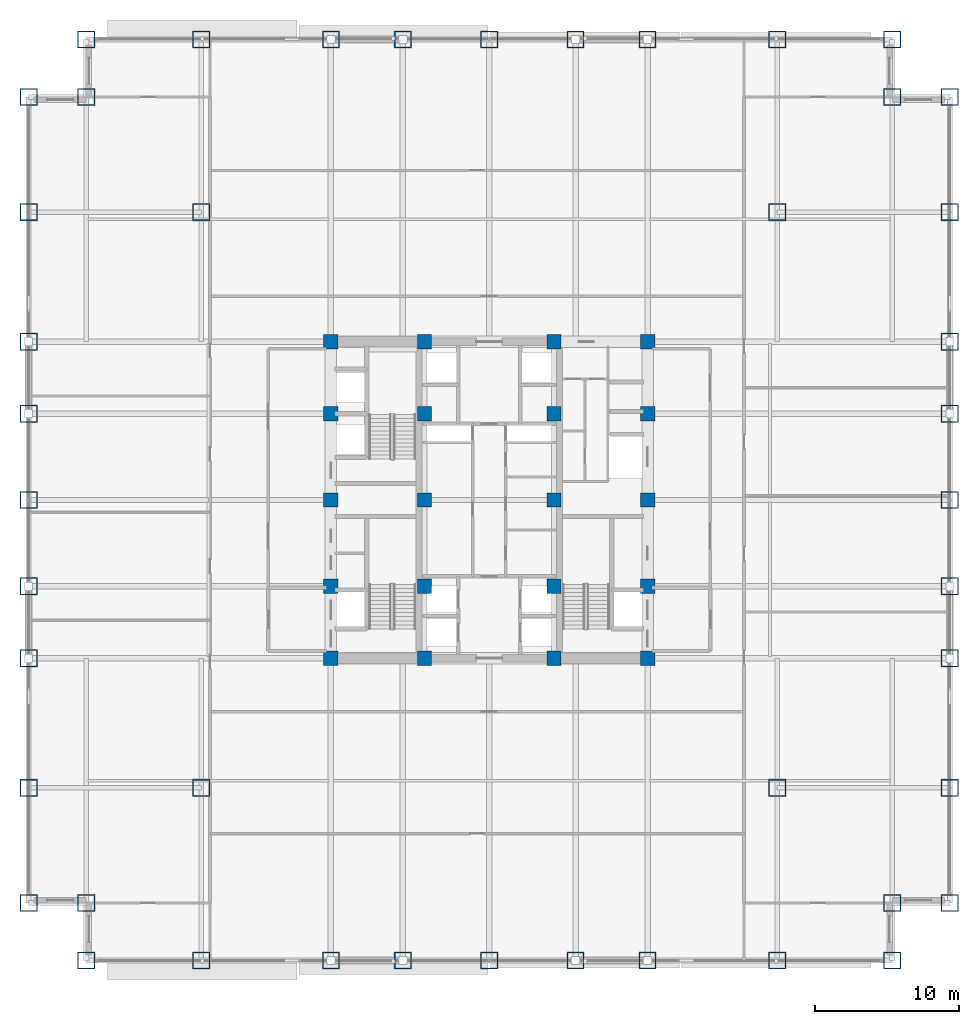
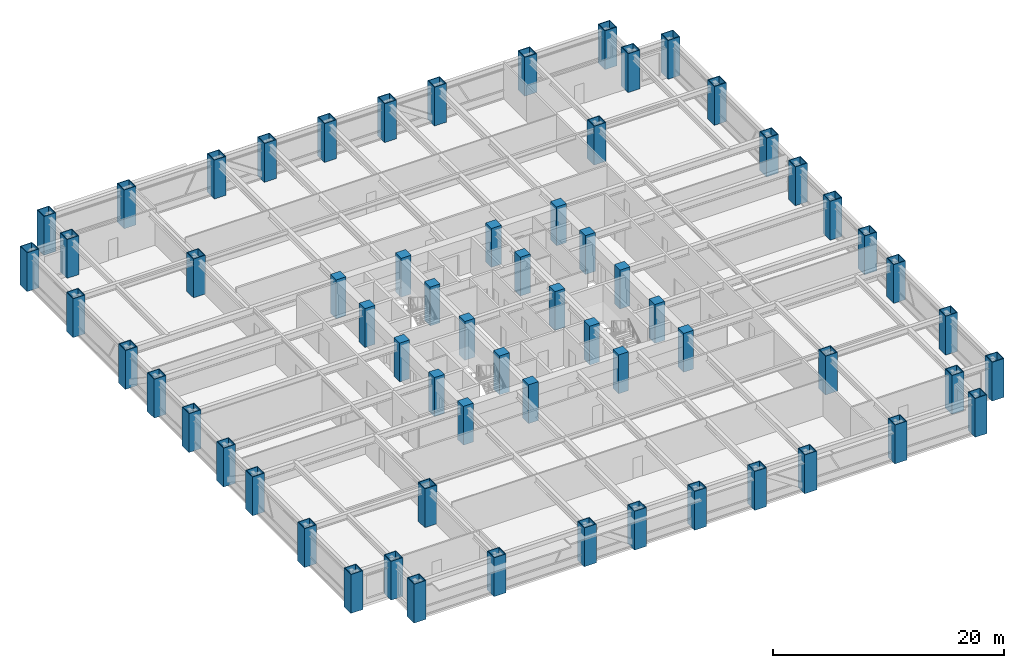
# One storey, part 1 of 32: 64 columns.
"""IFC4 building model written with IfcOpenShell, lengths in metres."""

import ifcopenshell
import ifcopenshell.guid

model = None  # the IFC model being written
_history = None  # IfcOwnerHistory: only IFC2X3 demands one
_inside = {}  # id of a spatial element -> (the spatial element, [elements in it])
_under = {}  # id of a project, library or spatial element -> (it, [spatial elements below it])
_declared = {}  # id of a project -> (the project, [libraries it declares])
_typed = {}  # id of a type object -> (the type object, [elements of that type])
_made_of = {}  # id of a material, layer set ... -> (it, [elements and type objects made of it])


def new_model(schema):
    """Start an empty IFC model of exactly this schema.

    Asked for "IFC4X3", IfcOpenShell would pick the latest addendum, in which some entities
    have other attributes; the version numbers below select the first issue.
    IFC2X3 requires an IfcOwnerHistory on every rooted entity: one is made here for all.
    """
    global model, _history
    if schema == "IFC4X3":
        model = ifcopenshell.file(schema_version=(4, 3, 0, 0))
    else:
        model = ifcopenshell.file(schema=schema)
    _inside.clear()
    _under.clear()
    _declared.clear()
    _typed.clear()
    _made_of.clear()
    _history = None
    if model.schema == "IFC2X3":
        org = make("IfcOrganization", Name="unknown")
        user = make(
            "IfcPersonAndOrganization",
            ThePerson=make("IfcPerson", FamilyName="unknown"),
            TheOrganization=org,
        )
        app = make(
            "IfcApplication",
            ApplicationDeveloper=org,
            Version="unknown",
            ApplicationFullName="unknown",
            ApplicationIdentifier="unknown",
        )
        _history = make(
            "IfcOwnerHistory",
            OwningUser=user,
            OwningApplication=app,
            ChangeAction="ADDED",
            CreationDate=0,
        )
    return model


def make(cls, **values):
    """One entity of the class cls with the attributes given. An attribute that is None is left unset."""
    return model.create_entity(
        cls, **{name: value for name, value in values.items() if value is not None}
    )


def rooted(cls, **values):
    """An entity with a GlobalId (a new one), such as an element, a storey or a relation."""
    return make(cls, GlobalId=ifcopenshell.guid.new(), OwnerHistory=_history, **values)


def si_unit(unit_type, name, prefix=None):
    """IfcSIUnit, for example si_unit("LENGTHUNIT", "METRE", prefix="MILLI")."""
    return make("IfcSIUnit", UnitType=unit_type, Prefix=prefix, Name=name)


def assignment(units):
    """IfcUnitAssignment: the units of a project."""
    return None if units is None else make("IfcUnitAssignment", Units=units)


def point(xyz):
    """IfcCartesianPoint."""
    return None if xyz is None else make("IfcCartesianPoint", Coordinates=xyz)


def direction(xyz):
    """IfcDirection."""
    return None if xyz is None else make("IfcDirection", DirectionRatios=xyz)


def frame(location, z_axis=None, x_axis=None):
    """IfcAxis2Placement3D, a coordinate frame: its origin and axes. An axis left out is left unset."""
    return make(
        "IfcAxis2Placement3D",
        Location=point(location),
        Axis=direction(z_axis),
        RefDirection=direction(x_axis),
    )


def frame_2d(location, x_axis=None):
    """IfcAxis2Placement2D, a coordinate frame in the plane: its origin and x axis."""
    return make(
        "IfcAxis2Placement2D", Location=point(location), RefDirection=direction(x_axis)
    )


def origin():
    """The frame at (0, 0, 0) with its axes left unset."""
    return frame((0.0, 0.0, 0.0))


def origin_2d():
    """The frame at (0, 0) in the plane with its x axis left unset."""
    return frame_2d((0.0, 0.0))


def place(relative_to, where):
    """IfcLocalPlacement: puts the frame where relative to a parent placement (None: the world)."""
    return make(
        "IfcLocalPlacement", PlacementRelTo=relative_to, RelativePlacement=where
    )


def context(
    kind, dimensions, precision=None, world=None, true_north=None, identifier=None
):
    """IfcGeometricRepresentationContext, for example the 3D "Model" context."""
    return make(
        "IfcGeometricRepresentationContext",
        ContextIdentifier=identifier,
        ContextType=kind,
        CoordinateSpaceDimension=dimensions,
        Precision=precision,
        WorldCoordinateSystem=world,
        TrueNorth=true_north,
    )


def subcontext(parent, identifier, kind, view, scale=None):
    """IfcGeometricRepresentationSubContext, for example "Body" below "Model"."""
    return make(
        "IfcGeometricRepresentationSubContext",
        ContextIdentifier=identifier,
        ContextType=kind,
        ParentContext=parent,
        TargetScale=scale,
        TargetView=view,
    )


def project(units=None, contexts=None):
    """IfcProject with its units and contexts."""
    return rooted(
        "IfcProject",
        Name="project",
        RepresentationContexts=contexts,
        UnitsInContext=assignment(units),
    )


def spatial(cls, under=None, at=None, **own):
    """A site, building, storey or space (cls), placed at a placement, below another one or the project."""
    s = rooted(cls, ObjectPlacement=at, **own)
    if under is not None:
        _under.setdefault(under.id(), (under, []))[1].append(s)
    return s


def profile(cls, at=None, kind="AREA", **sizes):
    """A parametric profile (cls). Its sizes go by their IFC names, for example OverallWidth=200.0."""
    return make(cls, ProfileType=kind, Position=at, **sizes)


def rectangle(**sizes):
    """IfcRectangleProfileDef."""
    return profile("IfcRectangleProfileDef", **sizes)


def hollow_rectangle(**sizes):
    """IfcRectangleHollowProfileDef."""
    return profile("IfcRectangleHollowProfileDef", **sizes)


def extrude(swept, where, along, depth):
    """IfcExtrudedAreaSolid: the profile swept, set in the frame where, extruded along a direction by depth."""
    return make(
        "IfcExtrudedAreaSolid",
        SweptArea=swept,
        Position=where,
        ExtrudedDirection=direction(along),
        Depth=depth,
    )


def shape(context_of_items, identifier, shape_type, items):
    """IfcShapeRepresentation: the items that make up one representation, for example the "Body"."""
    return make(
        "IfcShapeRepresentation",
        ContextOfItems=context_of_items,
        RepresentationIdentifier=identifier,
        RepresentationType=shape_type,
        Items=items,
    )


def source(mapping_origin, context_of_items, identifier, shape_type, items):
    """IfcRepresentationMap: a shape defined once, which mapped items show again and again."""
    return make(
        "IfcRepresentationMap",
        MappingOrigin=mapping_origin,
        MappedRepresentation=shape(context_of_items, identifier, shape_type, items),
    )


def transform(
    local_origin,
    x_axis=None,
    y_axis=None,
    z_axis=None,
    scale=None,
    scale2=None,
    scale3=None,
    uniform=True,
):
    """IfcCartesianTransformationOperator3D, or its non-uniform kind. x_axis, y_axis, z_axis: its Axis1, 2, 3."""
    if uniform:
        return make(
            "IfcCartesianTransformationOperator3D",
            Axis1=direction(x_axis),
            Axis2=direction(y_axis),
            LocalOrigin=point(local_origin),
            Scale=scale,
            Axis3=direction(z_axis),
        )
    return make(
        "IfcCartesianTransformationOperator3DnonUniform",
        Axis1=direction(x_axis),
        Axis2=direction(y_axis),
        LocalOrigin=point(local_origin),
        Scale=scale,
        Axis3=direction(z_axis),
        Scale2=scale2,
        Scale3=scale3,
    )


def mapped(mapping_source, mapping_target):
    """IfcMappedItem: shows the shape of a source again, moved by a transform."""
    return make(
        "IfcMappedItem", MappingSource=mapping_source, MappingTarget=mapping_target
    )


def material(Name=None, Category=None):
    """IfcMaterial."""
    return make("IfcMaterial", Name=Name, Category=Category)


def material_profile(
    of_material, cross_section, Name=None, Category=None, Priority=None
):
    """IfcMaterialProfile: a cross section and its material."""
    return make(
        "IfcMaterialProfile",
        Name=Name,
        Material=of_material,
        Profile=cross_section,
        Priority=Priority,
        Category=Category,
    )


def profile_set(profiles, Name=None, composite=None):
    """IfcMaterialProfileSet."""
    return make(
        "IfcMaterialProfileSet",
        Name=Name,
        MaterialProfiles=profiles,
        CompositeProfile=composite,
    )


def made_of(thing, what):
    """Note that an element or type object is made of a material, layer set ...; save() writes the relation."""
    if what is not None:
        _made_of.setdefault(what.id(), (what, []))[1].append(thing)
    return thing


def type_object(cls, material=None, **own):
    """A type object (cls), such as IfcWallType, which elements share."""
    return made_of(rooted(cls, **own), material)


def element(
    cls,
    number,
    at=None,
    inside=None,
    cuts=None,
    type_object=None,
    material=None,
    context=None,
    identifier="Body",
    shape_type=None,
    held_by="IfcProductDefinitionShape",
    body=None,
    shapes=None,
    **own,
):
    """One element of the class cls, such as IfcWall. Its Tag is "e" and its number.

    at: its placement. inside: the storey or other place that contains it. cuts: it is an
    opening in that element (IfcRelVoidsElement). A single representation is given by context,
    identifier, shape_type and body (its items); several are given by shapes. held_by: the class
    of the entity that holds the representations. save() writes the other relations.
    """
    e = rooted(cls, Tag="e%d" % number, ObjectPlacement=at, **own)
    if body is not None:
        shapes = [shape(context, identifier, shape_type, body)]
    if shapes is not None:
        e.Representation = make(held_by, Representations=shapes)
    if inside is not None:
        _inside.setdefault(inside.id(), (inside, []))[1].append(e)
    if cuts is not None:
        rooted(
            "IfcRelVoidsElement", RelatingBuildingElement=cuts, RelatedOpeningElement=e
        )
    if type_object is not None:
        _typed.setdefault(type_object.id(), (type_object, []))[1].append(e)
    return made_of(e, material)


def aggregate(whole, parts):
    """IfcRelAggregates: a whole, such as a stair, and the parts it consists of."""
    return rooted("IfcRelAggregates", RelatingObject=whole, RelatedObjects=parts)


def save(model, path):
    """Write the relations noted so far, then the file.

    IfcRelAggregates (storeys below a building ...), IfcRelContainedInSpatialStructure (elements
    in a storey), IfcRelDefinesByType, IfcRelAssociatesMaterial and IfcRelDeclares: one each for
    every whole, place, type object, material and project.
    """
    for whole, parts in _under.values():
        aggregate(whole, parts)
    for where, things in _inside.values():
        rooted(
            "IfcRelContainedInSpatialStructure",
            RelatedElements=things,
            RelatingStructure=where,
        )
    for kind, things in _typed.values():
        rooted("IfcRelDefinesByType", RelatedObjects=things, RelatingType=kind)
    for what, things in _made_of.values():
        rooted("IfcRelAssociatesMaterial", RelatedObjects=things, RelatingMaterial=what)
    for by, libraries in _declared.values():
        rooted("IfcRelDeclares", RelatingContext=by, RelatedDefinitions=libraries)
    model.write(path)


model = new_model("IFC4")

# Units and contexts
model_context = context("Model", 3, precision=1e-05, world=origin(), true_north=direction((0.0, 1.0)))
body_context = subcontext(model_context, "Body", "Model", "MODEL_VIEW")
ifc_project = project(units=[si_unit("LENGTHUNIT", "METRE"), si_unit("AREAUNIT", "SQUARE_METRE"), si_unit("VOLUMEUNIT", "CUBIC_METRE"), si_unit("PLANEANGLEUNIT", "RADIAN"), si_unit("MASSUNIT", "GRAM", prefix="KILO")], contexts=[model_context])

# Site, building, storey
site_placement = place(None, origin())
site = spatial("IfcSite", under=ifc_project, at=site_placement, CompositionType="ELEMENT")
building_placement = place(site_placement, origin())
building = spatial("IfcBuilding", under=site, at=building_placement, Name="Khorayat Bourse Tower", CompositionType="ELEMENT")
storey_placement = place(building_placement, frame((0.0, 0.0, 99.60009765625)))
storey = spatial("IfcBuildingStorey", under=building, at=storey_placement, Name="L22", CompositionType="ELEMENT", Elevation=99.60009765625)

# Columns
ifc_material_1 = material(Name="Steel EN 10025-4 S460M", Category="steel")
ifc_material_profile_1 = material_profile(ifc_material_1, hollow_rectangle(XDim=1.199951171875, YDim=1.199951171875, WallThickness=0.070068359375, at=origin_2d()), Name="BOX 1200x1200x70")
ifc_profile_set_1 = profile_set([ifc_material_profile_1], Name="Steel EN 10025-4 S460M")
column_type_1 = type_object("IfcColumnType", Name="COL-TUBE-1200", PredefinedType="COLUMN", material=ifc_profile_set_1)
shared_shape_1 = source(origin(), body_context, "Body", "SweptSolid", [
    extrude(hollow_rectangle(XDim=1.199951171875, YDim=1.199951171875, WallThickness=0.070068359375, at=origin_2d()), origin(), (0.0, 0.0, 1.0), 4.099853515625),
])
for number, where, z_axis, x_axis, name in (
    (1, (-32.0, -28.0, 0.0), (0.0, 0.0, 1.0), (1.0, 0.0, 0.0), "L22 Column 001"),
    (2, (-32.0, -20.0, 0.0), (0.0, 0.0, 1.0), (1.0, 0.0, 0.0), "L22 Column 002"),
    (3, (-32.0, -11.0, 0.0), (0.0, 0.0, 1.0), (1.0, 0.0, 0.0), "L22 Column 003"),
    (4, (-32.0, -6.0, 0.0), (0.0, 0.0, 1.0), (1.0, 0.0, 0.0), "L22 Column 004"),
    (5, (-32.0, 0.0, 0.0), (0.0, 0.0, 1.0), (1.0, 0.0, 0.0), "L22 Column 005"),
    (6, (-32.0, 6.0, 0.0), (0.0, 0.0, 1.0), (1.0, 0.0, 0.0), "L22 Column 006"),
    (7, (-32.0, 11.0, 0.0), (0.0, 0.0, 1.0), (1.0, 0.0, 0.0), "L22 Column 007"),
    (8, (-32.0, 20.0, 0.0), (0.0, 0.0, 1.0), (1.0, 0.0, 0.0), "L22 Column 008"),
    (9, (-32.0, 28.0, 0.0), (0.0, 0.0, 1.0), (1.0, 0.0, 0.0), "L22 Column 009"),
    (10, (-28.0, -32.0, 0.0), (0.0, 0.0, 1.0), (1.0, 0.0, 0.0), "L22 Column 010"),
    (11, (-28.0, -28.0, 0.0), (0.0, 0.0, 1.0), (1.0, 0.0, 0.0), "L22 Column 011"),
    (12, (-28.0, 28.0, 0.0), (0.0, 0.0, 1.0), (1.0, 0.0, 0.0), "L22 Column 012"),
    (13, (-28.0, 32.0, 0.0), (0.0, 0.0, 1.0), (1.0, 0.0, 0.0), "L22 Column 013"),
    (14, (-20.0, -32.0, 0.0), (0.0, 0.0, 1.0), (1.0, 0.0, 0.0), "L22 Column 014"),
    (15, (-20.0, -20.0, 0.0), (0.0, 0.0, 1.0), (1.0, 0.0, 0.0), "L22 Column 015"),
    (16, (-20.0, 20.0, 0.0), (0.0, 0.0, 1.0), (1.0, 0.0, 0.0), "L22 Column 016"),
    (17, (-20.0, 32.0, 0.0), (0.0, 0.0, 1.0), (1.0, 0.0, 0.0), "L22 Column 017"),
    (18, (-11.0, -32.0, 0.0), (0.0, 0.0, 1.0), (1.0, 0.0, 0.0), "L22 Column 018"),
    (19, (-11.0, 32.0, 0.0), (0.0, 0.0, 1.0), (1.0, 0.0, 0.0), "L22 Column 024"),
    (20, (-6.0, -32.0, 0.0), (0.0, 0.0, 1.0), (1.0, 0.0, 0.0), "L22 Column 025"),
    (21, (-6.0, 32.0, 0.0), (0.0, 0.0, 1.0), (1.0, 0.0, 0.0), "L22 Column 026"),
    (22, (0.0, -32.0, 0.0), (0.0, 0.0, 1.0), (1.0, 0.0, 0.0), "L22 Column 032"),
    (23, (0.0, 32.0, 0.0), (0.0, 0.0, 1.0), (1.0, 0.0, 0.0), "L22 Column 033"),
    (24, (6.0, -32.0, 0.0), (0.0, 0.0, 1.0), (1.0, 0.0, 0.0), "L22 Column 039"),
    (25, (6.0, 32.0, 0.0), (0.0, 0.0, 1.0), (1.0, 0.0, 0.0), "L22 Column 040"),
    (26, (11.0, -32.0, 0.0), (0.0, 0.0, 1.0), (1.0, 0.0, 0.0), "L22 Column 041"),
    (27, (11.0, 32.0, 0.0), (0.0, 0.0, 1.0), (1.0, 0.0, 0.0), "L22 Column 047"),
    (28, (20.0, -32.0, 0.0), (0.0, 0.0, 1.0), (1.0, 0.0, 0.0), "L22 Column 048"),
    (29, (20.0, -20.0, 0.0), (0.0, 0.0, 1.0), (1.0, 0.0, 0.0), "L22 Column 049"),
    (30, (20.0, 20.0, 0.0), (0.0, 0.0, 1.0), (1.0, 0.0, 0.0), "L22 Column 050"),
    (31, (20.0, 32.0, 0.0), (0.0, 0.0, 1.0), (1.0, 0.0, 0.0), "L22 Column 051"),
    (32, (28.0, -32.0, 0.0), (0.0, 0.0, 1.0), (1.0, 0.0, 0.0), "L22 Column 052"),
    (33, (28.0, -28.0, 0.0), (0.0, 0.0, 1.0), (1.0, 0.0, 0.0), "L22 Column 053"),
    (34, (28.0, 28.0, 0.0), (0.0, 0.0, 1.0), (1.0, 0.0, 0.0), "L22 Column 054"),
    (35, (28.0, 32.0, 0.0), (0.0, 0.0, 1.0), (1.0, 0.0, 0.0), "L22 Column 055"),
    (36, (32.0, -28.0, 0.0), (0.0, 0.0, 1.0), (1.0, 0.0, 0.0), "L22 Column 056"),
    (37, (32.0, -20.0, 0.0), (0.0, 0.0, 1.0), (1.0, 0.0, 0.0), "L22 Column 057"),
    (38, (32.0, -11.0, 0.0), (0.0, 0.0, 1.0), (1.0, 0.0, 0.0), "L22 Column 058"),
    (39, (32.0, -6.0, 0.0), (0.0, 0.0, 1.0), (1.0, 0.0, 0.0), "L22 Column 059"),
    (40, (32.0, 0.0, 0.0), (0.0, 0.0, 1.0), (1.0, 0.0, 0.0), "L22 Column 060"),
    (41, (32.0, 6.0, 0.0), (0.0, 0.0, 1.0), (1.0, 0.0, 0.0), "L22 Column 061"),
    (42, (32.0, 11.0, 0.0), (0.0, 0.0, 1.0), (1.0, 0.0, 0.0), "L22 Column 062"),
    (43, (32.0, 20.0, 0.0), (0.0, 0.0, 1.0), (1.0, 0.0, 0.0), "L22 Column 063"),
    (44, (32.0, 28.0, 0.0), (0.0, 0.0, 1.0), (1.0, 0.0, 0.0), "L22 Column 064"),
):
    element("IfcColumn", number, at=place(storey_placement, frame(where, z_axis=z_axis, x_axis=x_axis)), inside=storey, type_object=column_type_1, Name=name, PredefinedType="COLUMN", context=body_context, shape_type="MappedRepresentation", body=[
        mapped(shared_shape_1, transform((0.0, 0.0, 0.0), scale=1.0)),
    ])
ifc_material_2 = material(Name="Concrete C72/90", Category="concrete")
ifc_material_profile_2 = material_profile(ifc_material_2, rectangle(XDim=1.0, YDim=1.0, at=origin_2d()), Name="RC 1000x1000")
ifc_profile_set_2 = profile_set([ifc_material_profile_2], Name="Concrete C72/90")
column_type_2 = type_object("IfcColumnType", Name="COL-CORE-1000", PredefinedType="COLUMN", material=ifc_profile_set_2)
shared_shape_2 = source(origin(), body_context, "Body", "SweptSolid", [
    extrude(rectangle(XDim=1.0, YDim=1.0, at=origin_2d()), origin(), (0.0, 0.0, 1.0), 4.099853515625),
])
for number, where, z_axis, x_axis, name in (
    (45, (-11.0, -11.0, 0.0), (0.0, 0.0, 1.0), (1.0, 0.0, 0.0), "L22 Column 019"),
    (46, (-11.0, -6.0, 0.0), (0.0, 0.0, 1.0), (1.0, 0.0, 0.0), "L22 Column 020"),
    (47, (-11.0, 0.0, 0.0), (0.0, 0.0, 1.0), (1.0, 0.0, 0.0), "L22 Column 021"),
    (48, (-11.0, 6.0, 0.0), (0.0, 0.0, 1.0), (1.0, 0.0, 0.0), "L22 Column 022"),
    (49, (-11.0, 11.0, 0.0), (0.0, 0.0, 1.0), (1.0, 0.0, 0.0), "L22 Column 023"),
    (50, (-4.5, -11.0, 0.0), (0.0, 0.0, 1.0), (1.0, 0.0, 0.0), "L22 Column 027"),
    (51, (-4.5, -6.0, 0.0), (0.0, 0.0, 1.0), (1.0, 0.0, 0.0), "L22 Column 028"),
    (52, (-4.5, 0.0, 0.0), (0.0, 0.0, 1.0), (1.0, 0.0, 0.0), "L22 Column 029"),
    (53, (-4.5, 6.0, 0.0), (0.0, 0.0, 1.0), (1.0, 0.0, 0.0), "L22 Column 030"),
    (54, (-4.5, 11.0, 0.0), (0.0, 0.0, 1.0), (1.0, 0.0, 0.0), "L22 Column 031"),
    (55, (4.5, -11.0, 0.0), (0.0, 0.0, 1.0), (1.0, 0.0, 0.0), "L22 Column 034"),
    (56, (4.5, -6.0, 0.0), (0.0, 0.0, 1.0), (1.0, 0.0, 0.0), "L22 Column 035"),
    (57, (4.5, 0.0, 0.0), (0.0, 0.0, 1.0), (1.0, 0.0, 0.0), "L22 Column 036"),
    (58, (4.5, 6.0, 0.0), (0.0, 0.0, 1.0), (1.0, 0.0, 0.0), "L22 Column 037"),
    (59, (4.5, 11.0, 0.0), (0.0, 0.0, 1.0), (1.0, 0.0, 0.0), "L22 Column 038"),
    (60, (11.0, -11.0, 0.0), (0.0, 0.0, 1.0), (1.0, 0.0, 0.0), "L22 Column 042"),
    (61, (11.0, -6.0, 0.0), (0.0, 0.0, 1.0), (1.0, 0.0, 0.0), "L22 Column 043"),
    (62, (11.0, 0.0, 0.0), (0.0, 0.0, 1.0), (1.0, 0.0, 0.0), "L22 Column 044"),
    (63, (11.0, 6.0, 0.0), (0.0, 0.0, 1.0), (1.0, 0.0, 0.0), "L22 Column 045"),
    (64, (11.0, 11.0, 0.0), (0.0, 0.0, 1.0), (1.0, 0.0, 0.0), "L22 Column 046"),
):
    element("IfcColumn", number, at=place(storey_placement, frame(where, z_axis=z_axis, x_axis=x_axis)), inside=storey, type_object=column_type_2, Name=name, PredefinedType="COLUMN", context=body_context, shape_type="MappedRepresentation", body=[
        mapped(shared_shape_2, transform((0.0, 0.0, 0.0), scale=1.0)),
    ])

save(model, "model.ifc")
